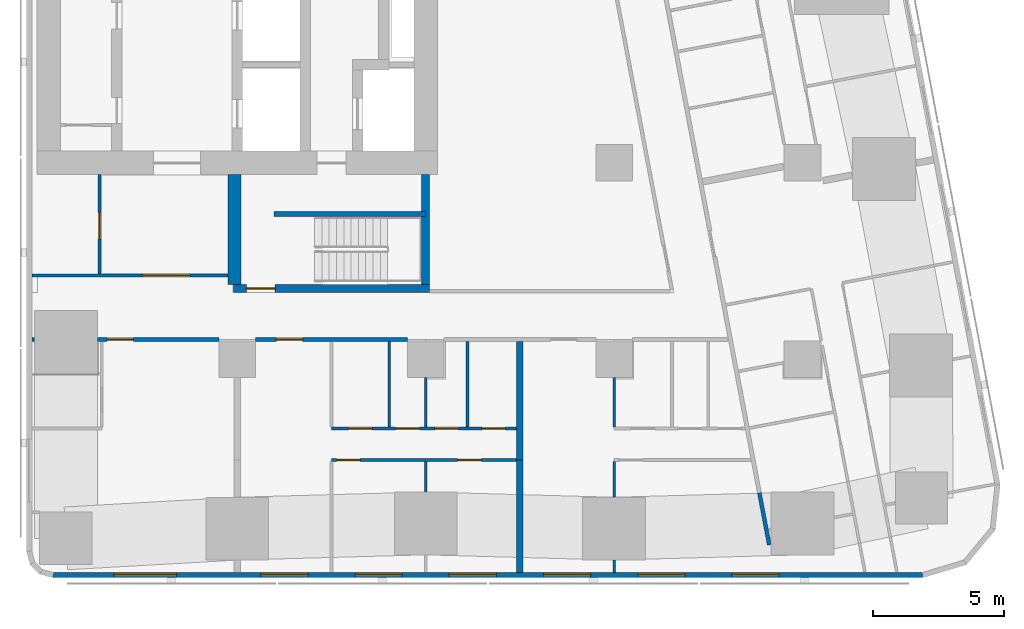
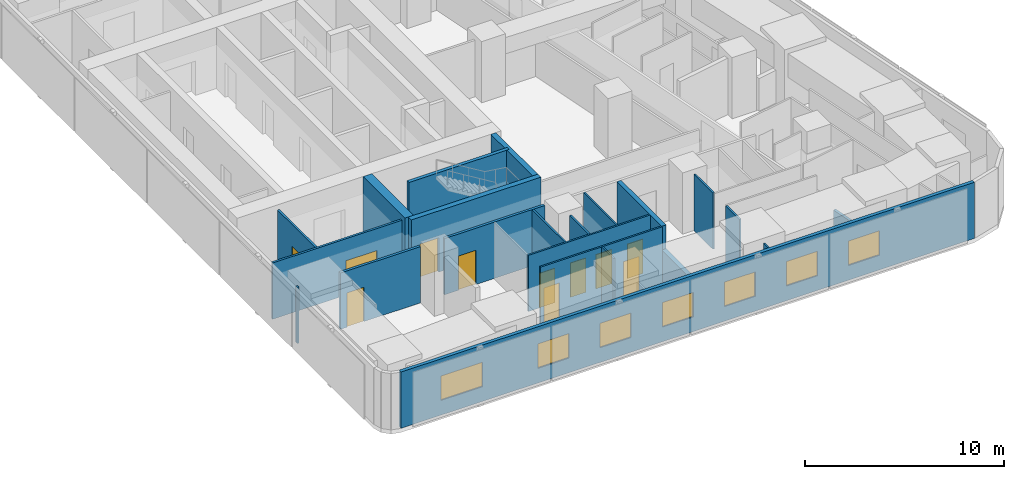
# One storey, part 2 of 10: 22 walls, 11 doors, 7 windows, 18 openings.
"""IFC4 building model written with IfcOpenShell, lengths in metres."""

from ifc_helpers import new_model, si_unit, direction, frame, frame_2d, origin, place, context, subcontext, project, spatial, rectangle, extrude, material, layer, layer_set, type_object, element, fill, save


model = new_model("IFC4")

# Units and contexts
model_context = context("Model", 3, precision=1e-05, world=origin(), true_north=direction((0.0, 1.0)))
body_context = subcontext(model_context, "Body", "Model", "MODEL_VIEW")
ifc_project = project(units=[si_unit("LENGTHUNIT", "METRE"), si_unit("AREAUNIT", "SQUARE_METRE"), si_unit("VOLUMEUNIT", "CUBIC_METRE"), si_unit("PLANEANGLEUNIT", "RADIAN"), si_unit("MASSUNIT", "GRAM", prefix="KILO")], contexts=[model_context])

# Site, building, storey
site_placement = place(None, origin())
site = spatial("IfcSite", under=ifc_project, at=site_placement, CompositionType="ELEMENT")
building_placement = place(site_placement, origin())
building = spatial("IfcBuilding", under=site, at=building_placement, Name="Sheger Commons Tower", CompositionType="ELEMENT")
storey_placement = place(building_placement, frame((0.0, 0.0, 242.449951171875)))
storey = spatial("IfcBuildingStorey", under=building, at=storey_placement, Name="L62", CompositionType="ELEMENT", Elevation=242.449951171875)

# Wall, opening, door
ifc_material_1 = material(Name="Hollow concrete block masonry, skimmed both sides", Category="masonry")
ifc_layer_1 = layer(ifc_material_1, 0.14990234375)
ifc_layer_set_1 = layer_set([ifc_layer_1], Name="CORRIDOR WALL 150")
wall_type_1 = type_object("IfcWallType", Name="CORRIDOR WALL 150", PredefinedType="SOLIDWALL", material=ifc_layer_set_1)
wall_1_placement = place(storey_placement, frame((28.09912109375, 8.25, 0.0), z_axis=(0.0, 0.0, 1.0), x_axis=(-1.0, 0.0, 0.0)))
wall_1 = element("IfcWall", 1, at=wall_1_placement, inside=storey, type_object=wall_type_1, Name="Corridor wall L62", PredefinedType="SOLIDWALL", context=body_context, shape_type="SweptSolid", body=[
    extrude(rectangle(XDim=5.798095703125, YDim=0.14990234375, at=frame_2d((2.89892578125, 0.0))), origin(), (0.0, 0.0, 1.0), 3.449951171875),
])
opening_1_placement = place(wall_1_placement, frame((3.9990234375, 0.0, 0.0)))
opening_1 = element("IfcOpeningElement", 2, at=opening_1_placement, cuts=wall_1, Name="Opening D1", PredefinedType="OPENING", context=body_context, shape_type="SweptSolid", body=[
    extrude(rectangle(XDim=1.0, YDim=2.10009765625, at=frame_2d((0.5, 1.050048828125))), frame((0.0, 0.0849609375, 0.0), z_axis=(0.0, -1.0, 0.0), x_axis=(1.0, 0.0, 0.0)), (0.0, 0.0, 1.0), 0.169921875),
])
ifc_material_2 = material(Name="Steel door set, fire rated", Category="steel")
door_type_1 = type_object("IfcDoorType", Name="FLAT ENTRANCE DOOR 1000x2100", OperationType="NOTDEFINED", PredefinedType="DOOR", material=ifc_material_2)
door_1_placement = place(opening_1_placement, origin())
door_1 = element("IfcDoor", 3, at=door_1_placement, inside=storey, type_object=door_type_1, Name="Flat entrance door", OperationType="SINGLE_SWING_RIGHT", OverallHeight=2.10009765625, OverallWidth=1.0, PredefinedType="DOOR", context=body_context, shape_type="SweptSolid", body=[
    extrude(rectangle(XDim=1.0, YDim=2.10009765625, at=frame_2d((0.5, 1.050048828125))), frame((0.0, 0.02490234375, 0.0), z_axis=(0.0, -1.0, 0.0), x_axis=(1.0, 0.0, 0.0)), (0.0, 0.0, 1.0), 0.050048828125),
])
fill(opening_1, door_1)

wall_2_placement = place(storey_placement, frame((20.89892578125, 8.25, 0.0), z_axis=(0.0, 0.0, 1.0), x_axis=(-1.0, 0.0, 0.0)))
wall_2 = element("IfcWall", 4, at=wall_2_placement, inside=storey, type_object=wall_type_1, Name="Corridor wall L62", PredefinedType="SOLIDWALL", context=body_context, shape_type="SweptSolid", body=[
    extrude(rectangle(XDim=4.64404296875, YDim=0.14990234375, at=frame_2d((2.322021484375, 0.0))), origin(), (0.0, 0.0, 1.0), 3.449951171875),
])
opening_2_placement = place(wall_2_placement, frame((3.27001953125, 0.0, 0.0)))
opening_2 = element("IfcOpeningElement", 5, at=opening_2_placement, cuts=wall_2, Name="Opening D1", PredefinedType="OPENING", context=body_context, shape_type="SweptSolid", body=[
    extrude(rectangle(XDim=1.0, YDim=2.10009765625, at=frame_2d((0.5, 1.050048828125))), frame((0.0, 0.0849609375, 0.0), z_axis=(0.0, -1.0, 0.0), x_axis=(1.0, 0.0, 0.0)), (0.0, 0.0, 1.0), 0.169921875),
])
door_2_placement = place(opening_2_placement, origin())
door_2 = element("IfcDoor", 6, at=door_2_placement, inside=storey, type_object=door_type_1, Name="Flat entrance door", OperationType="SINGLE_SWING_RIGHT", OverallHeight=2.10009765625, OverallWidth=1.0, PredefinedType="DOOR", context=body_context, shape_type="SweptSolid", body=[
    extrude(rectangle(XDim=1.0, YDim=2.10009765625, at=frame_2d((0.5, 1.050048828125))), frame((0.0, 0.02490234375, 0.0), z_axis=(0.0, -1.0, 0.0), x_axis=(1.0, 0.0, 0.0)), (0.0, 0.0, 1.0), 0.050048828125),
])
fill(opening_2, door_2)

# Walls
wall_3_placement = place(storey_placement, frame((13.85302734375, 8.25, 0.0), z_axis=(0.0, 0.0, 1.0), x_axis=(-1.0, 0.0, 0.0)))
element("IfcWall", 7, at=wall_3_placement, inside=storey, type_object=wall_type_1, Name="Corridor wall L62", PredefinedType="SOLIDWALL", context=body_context, shape_type="SweptSolid", body=[
    extrude(rectangle(XDim=0.10302734375, YDim=0.14990234375, at=frame_2d((0.051513671875, 0.0))), origin(), (0.0, 0.0, 1.0), 3.449951171875),
])
wall_4_placement = place(storey_placement, frame((41.552001953125, 2.39208984375, 0.0), z_axis=(0.0, 0.0, 1.0), x_axis=(0.185535500323, -0.982637561932, 0.0)))
element("IfcWall", 8, at=wall_4_placement, inside=storey, type_object=wall_type_1, Name="Corridor wall L62", PredefinedType="SOLIDWALL", context=body_context, shape_type="SweptSolid", body=[
    extrude(rectangle(XDim=2.021240234375, YDim=0.14990234375, at=frame_2d((1.0107421875, 0.0))), origin(), (0.0, 0.0, 1.0), 2.0),
])
ifc_material_3 = material(Name="Dense concrete block masonry, plastered both sides (separating wall between flats)", Category="masonry")
ifc_layer_2 = layer(ifc_material_3, 0.25)
ifc_layer_set_2 = layer_set([ifc_layer_2], Name="DEMISING WALL 250")
wall_type_2 = type_object("IfcWallType", Name="DEMISING WALL 250", PredefinedType="SOLIDWALL", material=ifc_layer_set_2)
wall_5_placement = place(storey_placement, frame((32.39990234375, -0.64990234375, 0.0), z_axis=(0.0, 0.0, 1.0), x_axis=(0.0, 1.0, 0.0)))
element("IfcWall", 9, at=wall_5_placement, inside=storey, type_object=wall_type_2, Name="Demising wall L62", PredefinedType="SOLIDWALL", context=body_context, shape_type="SweptSolid", body=[
    extrude(rectangle(XDim=4.2998046875, YDim=0.25, at=frame_2d((2.14990234375, 0.0))), origin(), (0.0, 0.0, 1.0), 2.0),
])
wall_6_placement = place(storey_placement, frame((32.39990234375, 3.64990234375, 0.0), z_axis=(0.0, 0.0, 1.0), x_axis=(0.0, 1.0, 0.0)))
element("IfcWall", 10, at=wall_6_placement, inside=storey, type_object=wall_type_2, Name="Demising wall L62", PredefinedType="SOLIDWALL", context=body_context, shape_type="SweptSolid", body=[
    extrude(rectangle(XDim=4.525146484375, YDim=0.25, at=frame_2d((2.2626953125, 0.0))), origin(), (0.0, 0.0, 1.0), 3.449951171875),
])

# Wall, openings, windows
ifc_material_4 = material(Name="Rendered concrete block masonry, dark grey", Category="masonry")
ifc_layer_3 = layer(ifc_material_4, 0.199951171875)
ifc_layer_set_3 = layer_set([ifc_layer_3], Name="FACADE WALL 200")
wall_type_3 = type_object("IfcWallType", Name="FACADE WALL 200", PredefinedType="SOLIDWALL", material=ifc_layer_set_3)
wall_7_placement = place(storey_placement, frame((14.56298828125, -0.75, 0.0), z_axis=(0.0, 0.0, 1.0), x_axis=(1.0, 0.0, 0.0)))
wall_7 = element("IfcWall", 11, at=wall_7_placement, inside=storey, type_object=wall_type_3, Name="Facade wall L62", PredefinedType="SOLIDWALL", context=body_context, shape_type="SweptSolid", body=[
    extrude(rectangle(XDim=33.22802734375, YDim=0.199951171875, at=frame_2d((16.614013671875, 0.0))), origin(), (0.0, 0.0, 1.0), 3.449951171875),
])
opening_3_placement = place(wall_7_placement, frame((2.319091796875, 0.0, 0.89990234375)))
opening_3 = element("IfcOpeningElement", 12, at=opening_3_placement, cuts=wall_7, Name="Opening W1", PredefinedType="OPENING", context=body_context, shape_type="SweptSolid", body=[
    extrude(rectangle(XDim=2.39990234375, YDim=1.5, at=frame_2d((1.199951171875, 0.75))), frame((0.0, 0.10986328125, 0.0), z_axis=(0.0, -1.0, 0.0), x_axis=(1.0, 0.0, 0.0)), (0.0, 0.0, 1.0), 0.219970703125),
])
opening_4_placement = place(wall_7_placement, frame((7.93701171875, 0.0, 0.89990234375)))
opening_4 = element("IfcOpeningElement", 13, at=opening_4_placement, cuts=wall_7, Name="Opening W2", PredefinedType="OPENING", context=body_context, shape_type="SweptSolid", body=[
    extrude(rectangle(XDim=1.800048828125, YDim=1.5, at=frame_2d((0.89990234375, 0.75))), frame((0.0, 0.10986328125, 0.0), z_axis=(0.0, -1.0, 0.0), x_axis=(1.0, 0.0, 0.0)), (0.0, 0.0, 1.0), 0.219970703125),
])
opening_5_placement = place(wall_7_placement, frame((11.537109375, 0.0, 0.89990234375)))
opening_5 = element("IfcOpeningElement", 14, at=opening_5_placement, cuts=wall_7, Name="Opening W2", PredefinedType="OPENING", context=body_context, shape_type="SweptSolid", body=[
    extrude(rectangle(XDim=1.800048828125, YDim=1.5, at=frame_2d((0.89990234375, 0.75))), frame((0.0, 0.10986328125, 0.0), z_axis=(0.0, -1.0, 0.0), x_axis=(1.0, 0.0, 0.0)), (0.0, 0.0, 1.0), 0.219970703125),
])
opening_6_placement = place(wall_7_placement, frame((15.136962890625, 0.0, 0.89990234375)))
opening_6 = element("IfcOpeningElement", 15, at=opening_6_placement, cuts=wall_7, Name="Opening W2", PredefinedType="OPENING", context=body_context, shape_type="SweptSolid", body=[
    extrude(rectangle(XDim=1.800048828125, YDim=1.5, at=frame_2d((0.89990234375, 0.75))), frame((0.0, 0.10986328125, 0.0), z_axis=(0.0, -1.0, 0.0), x_axis=(1.0, 0.0, 0.0)), (0.0, 0.0, 1.0), 0.219970703125),
])
opening_7_placement = place(wall_7_placement, frame((18.737060546875, 0.0, 0.89990234375)))
opening_7 = element("IfcOpeningElement", 16, at=opening_7_placement, cuts=wall_7, Name="Opening W2", PredefinedType="OPENING", context=body_context, shape_type="SweptSolid", body=[
    extrude(rectangle(XDim=1.800048828125, YDim=1.5, at=frame_2d((0.89990234375, 0.75))), frame((0.0, 0.10986328125, 0.0), z_axis=(0.0, -1.0, 0.0), x_axis=(1.0, 0.0, 0.0)), (0.0, 0.0, 1.0), 0.219970703125),
])
opening_8_placement = place(wall_7_placement, frame((22.3369140625, 0.0, 0.89990234375)))
opening_8 = element("IfcOpeningElement", 17, at=opening_8_placement, cuts=wall_7, Name="Opening W2", PredefinedType="OPENING", context=body_context, shape_type="SweptSolid", body=[
    extrude(rectangle(XDim=1.800048828125, YDim=1.5, at=frame_2d((0.89990234375, 0.75))), frame((0.0, 0.10986328125, 0.0), z_axis=(0.0, -1.0, 0.0), x_axis=(1.0, 0.0, 0.0)), (0.0, 0.0, 1.0), 0.219970703125),
])
opening_9_placement = place(wall_7_placement, frame((25.93701171875, 0.0, 0.89990234375)))
opening_9 = element("IfcOpeningElement", 18, at=opening_9_placement, cuts=wall_7, Name="Opening W2", PredefinedType="OPENING", context=body_context, shape_type="SweptSolid", body=[
    extrude(rectangle(XDim=1.800048828125, YDim=1.5, at=frame_2d((0.89990234375, 0.75))), frame((0.0, 0.10986328125, 0.0), z_axis=(0.0, -1.0, 0.0), x_axis=(1.0, 0.0, 0.0)), (0.0, 0.0, 1.0), 0.219970703125),
])
ifc_material_5 = material(Name="Black aluminium frame, dark tinted double glazing", Category="aluminium")
window_type_1 = type_object("IfcWindowType", Name="WINDOW W1 2400x1500", PartitioningType="SINGLE_PANEL", PredefinedType="WINDOW", material=ifc_material_5)
window_1_placement = place(opening_3_placement, origin())
window_1 = element("IfcWindow", 19, at=window_1_placement, inside=storey, type_object=window_type_1, Name="Window W1 2400X1500", OverallHeight=1.5, OverallWidth=2.39990234375, PartitioningType="SINGLE_PANEL", PredefinedType="WINDOW", context=body_context, shape_type="SweptSolid", body=[
    extrude(rectangle(XDim=2.39990234375, YDim=1.5, at=frame_2d((1.199951171875, 0.75))), frame((0.0, 0.030029296875, 0.0), z_axis=(0.0, -1.0, 0.0), x_axis=(1.0, 0.0, 0.0)), (0.0, 0.0, 1.0), 0.06005859375),
])
fill(opening_3, window_1)
ifc_material_6 = material(Name="Black aluminium frame, dark tinted double glazing", Category="aluminium")
window_type_2 = type_object("IfcWindowType", Name="WINDOW W2 1800x1500", PartitioningType="SINGLE_PANEL", PredefinedType="WINDOW", material=ifc_material_6)
window_2_placement = place(opening_4_placement, origin())
window_2 = element("IfcWindow", 20, at=window_2_placement, inside=storey, type_object=window_type_2, Name="Window W2 1800X1500", OverallHeight=1.5, OverallWidth=1.800048828125, PartitioningType="SINGLE_PANEL", PredefinedType="WINDOW", context=body_context, shape_type="SweptSolid", body=[
    extrude(rectangle(XDim=1.800048828125, YDim=1.5, at=frame_2d((0.89990234375, 0.75))), frame((0.0, 0.030029296875, 0.0), z_axis=(0.0, -1.0, 0.0), x_axis=(1.0, 0.0, 0.0)), (0.0, 0.0, 1.0), 0.06005859375),
])
fill(opening_4, window_2)
window_3_placement = place(opening_5_placement, origin())
window_3 = element("IfcWindow", 21, at=window_3_placement, inside=storey, type_object=window_type_2, Name="Window W2 1800X1500", OverallHeight=1.5, OverallWidth=1.800048828125, PartitioningType="SINGLE_PANEL", PredefinedType="WINDOW", context=body_context, shape_type="SweptSolid", body=[
    extrude(rectangle(XDim=1.800048828125, YDim=1.5, at=frame_2d((0.89990234375, 0.75))), frame((0.0, 0.030029296875, 0.0), z_axis=(0.0, -1.0, 0.0), x_axis=(1.0, 0.0, 0.0)), (0.0, 0.0, 1.0), 0.06005859375),
])
fill(opening_5, window_3)
window_4_placement = place(opening_6_placement, origin())
window_4 = element("IfcWindow", 22, at=window_4_placement, inside=storey, type_object=window_type_2, Name="Window W2 1800X1500", OverallHeight=1.5, OverallWidth=1.800048828125, PartitioningType="SINGLE_PANEL", PredefinedType="WINDOW", context=body_context, shape_type="SweptSolid", body=[
    extrude(rectangle(XDim=1.800048828125, YDim=1.5, at=frame_2d((0.89990234375, 0.75))), frame((0.0, 0.030029296875, 0.0), z_axis=(0.0, -1.0, 0.0), x_axis=(1.0, 0.0, 0.0)), (0.0, 0.0, 1.0), 0.06005859375),
])
fill(opening_6, window_4)
window_5_placement = place(opening_7_placement, origin())
window_5 = element("IfcWindow", 23, at=window_5_placement, inside=storey, type_object=window_type_2, Name="Window W2 1800X1500", OverallHeight=1.5, OverallWidth=1.800048828125, PartitioningType="SINGLE_PANEL", PredefinedType="WINDOW", context=body_context, shape_type="SweptSolid", body=[
    extrude(rectangle(XDim=1.800048828125, YDim=1.5, at=frame_2d((0.89990234375, 0.75))), frame((0.0, 0.030029296875, 0.0), z_axis=(0.0, -1.0, 0.0), x_axis=(1.0, 0.0, 0.0)), (0.0, 0.0, 1.0), 0.06005859375),
])
fill(opening_7, window_5)
window_6_placement = place(opening_8_placement, origin())
window_6 = element("IfcWindow", 24, at=window_6_placement, inside=storey, type_object=window_type_2, Name="Window W2 1800X1500", OverallHeight=1.5, OverallWidth=1.800048828125, PartitioningType="SINGLE_PANEL", PredefinedType="WINDOW", context=body_context, shape_type="SweptSolid", body=[
    extrude(rectangle(XDim=1.800048828125, YDim=1.5, at=frame_2d((0.89990234375, 0.75))), frame((0.0, 0.030029296875, 0.0), z_axis=(0.0, -1.0, 0.0), x_axis=(1.0, 0.0, 0.0)), (0.0, 0.0, 1.0), 0.06005859375),
])
fill(opening_8, window_6)
window_7_placement = place(opening_9_placement, origin())
window_7 = element("IfcWindow", 25, at=window_7_placement, inside=storey, type_object=window_type_2, Name="Window W2 1800X1500", OverallHeight=1.5, OverallWidth=1.800048828125, PartitioningType="SINGLE_PANEL", PredefinedType="WINDOW", context=body_context, shape_type="SweptSolid", body=[
    extrude(rectangle(XDim=1.800048828125, YDim=1.5, at=frame_2d((0.89990234375, 0.75))), frame((0.0, 0.030029296875, 0.0), z_axis=(0.0, -1.0, 0.0), x_axis=(1.0, 0.0, 0.0)), (0.0, 0.0, 1.0), 0.06005859375),
])
fill(opening_9, window_7)

# Wall, openings, doors
ifc_material_7 = material(Name="Gypsum board on steel studs", Category="steel")
ifc_layer_4 = layer(ifc_material_7, 0.10009765625)
ifc_layer_set_4 = layer_set([ifc_layer_4], Name="PARTITION 100")
wall_type_4 = type_object("IfcWallType", Name="PARTITION 100", PredefinedType="PARTITIONING", material=ifc_layer_set_4)
wall_8_placement = place(storey_placement, frame((32.27490234375, 3.64990234375, 0.0), z_axis=(0.0, 0.0, 1.0), x_axis=(-1.0, 0.0, 0.0)))
wall_8 = element("IfcWall", 26, at=wall_8_placement, inside=storey, type_object=wall_type_4, Name="Partition L62", PredefinedType="PARTITIONING", context=body_context, shape_type="SweptSolid", body=[
    extrude(rectangle(XDim=7.074951171875, YDim=0.10009765625, at=frame_2d((3.53759765625, 0.0))), origin(), (0.0, 0.0, 1.0), 3.449951171875),
])
opening_10_placement = place(wall_8_placement, frame((5.97509765625, 0.0, 0.0)))
opening_10 = element("IfcOpeningElement", 27, at=opening_10_placement, cuts=wall_8, Name="Opening D2", PredefinedType="OPENING", context=body_context, shape_type="SweptSolid", body=[
    extrude(rectangle(XDim=0.89990234375, YDim=2.10009765625, at=frame_2d((0.449951171875, 1.050048828125))), frame((0.0, 0.06005859375, 0.0), z_axis=(0.0, -1.0, 0.0), x_axis=(1.0, 0.0, 0.0)), (0.0, 0.0, 1.0), 0.1201171875),
])
opening_11_placement = place(wall_8_placement, frame((1.35009765625, 0.0, 0.0)))
opening_11 = element("IfcOpeningElement", 28, at=opening_11_placement, cuts=wall_8, Name="Opening D2", PredefinedType="OPENING", context=body_context, shape_type="SweptSolid", body=[
    extrude(rectangle(XDim=0.89990234375, YDim=2.10009765625, at=frame_2d((0.449951171875, 1.050048828125))), frame((0.0, 0.06005859375, 0.0), z_axis=(0.0, -1.0, 0.0), x_axis=(1.0, 0.0, 0.0)), (0.0, 0.0, 1.0), 0.1201171875),
])
ifc_material_8 = material(Name="Timber door set", Category="wood")
door_type_2 = type_object("IfcDoorType", Name="INTERNAL DOOR 900x2100", OperationType="NOTDEFINED", PredefinedType="DOOR", material=ifc_material_8)
door_3_placement = place(opening_10_placement, origin())
door_3 = element("IfcDoor", 29, at=door_3_placement, inside=storey, type_object=door_type_2, Name="Main bedroom door", OperationType="SINGLE_SWING_RIGHT", OverallHeight=2.10009765625, OverallWidth=0.89990234375, PredefinedType="DOOR", context=body_context, shape_type="SweptSolid", body=[
    extrude(rectangle(XDim=0.89990234375, YDim=2.10009765625, at=frame_2d((0.449951171875, 1.050048828125))), frame((0.0, 0.02490234375, 0.0), z_axis=(0.0, -1.0, 0.0), x_axis=(1.0, 0.0, 0.0)), (0.0, 0.0, 1.0), 0.050048828125),
])
fill(opening_10, door_3)
door_4_placement = place(opening_11_placement, origin())
door_4 = element("IfcDoor", 30, at=door_4_placement, inside=storey, type_object=door_type_2, Name="Bedroom 2 door", OperationType="SINGLE_SWING_LEFT", OverallHeight=2.10009765625, OverallWidth=0.89990234375, PredefinedType="DOOR", context=body_context, shape_type="SweptSolid", body=[
    extrude(rectangle(XDim=0.89990234375, YDim=2.10009765625, at=frame_2d((0.449951171875, 1.050048828125))), frame((0.0, 0.02490234375, 0.0), z_axis=(0.0, -1.0, 0.0), x_axis=(1.0, 0.0, 0.0)), (0.0, 0.0, 1.0), 0.050048828125),
])
fill(opening_11, door_4)

wall_9_placement = place(storey_placement, frame((32.27490234375, 4.85009765625, 0.0), z_axis=(0.0, 0.0, 1.0), x_axis=(-1.0, 0.0, 0.0)))
wall_9 = element("IfcWall", 31, at=wall_9_placement, inside=storey, type_object=wall_type_4, Name="Partition L62", PredefinedType="PARTITIONING", context=body_context, shape_type="SweptSolid", body=[
    extrude(rectangle(XDim=7.074951171875, YDim=0.10009765625, at=frame_2d((3.53759765625, 0.0))), origin(), (0.0, 0.0, 1.0), 3.449951171875),
])
opening_12_placement = place(wall_9_placement, frame((5.52001953125, 0.0, 0.0)))
opening_12 = element("IfcOpeningElement", 32, at=opening_12_placement, cuts=wall_9, Name="Opening D2", PredefinedType="OPENING", context=body_context, shape_type="SweptSolid", body=[
    extrude(rectangle(XDim=0.89990234375, YDim=2.10009765625, at=frame_2d((0.449951171875, 1.050048828125))), frame((0.0, 0.06005859375, 0.0), z_axis=(0.0, -1.0, 0.0), x_axis=(1.0, 0.0, 0.0)), (0.0, 0.0, 1.0), 0.1201171875),
])
opening_13_placement = place(wall_9_placement, frame((2.22509765625, 0.0, 0.0)))
opening_13 = element("IfcOpeningElement", 33, at=opening_13_placement, cuts=wall_9, Name="Opening D2", PredefinedType="OPENING", context=body_context, shape_type="SweptSolid", body=[
    extrude(rectangle(XDim=0.89990234375, YDim=2.10009765625, at=frame_2d((0.449951171875, 1.050048828125))), frame((0.0, 0.06005859375, 0.0), z_axis=(0.0, -1.0, 0.0), x_axis=(1.0, 0.0, 0.0)), (0.0, 0.0, 1.0), 0.1201171875),
])
opening_14_placement = place(wall_9_placement, frame((3.719970703125, 0.0, 0.0)))
opening_14 = element("IfcOpeningElement", 34, at=opening_14_placement, cuts=wall_9, Name="Opening D2", PredefinedType="OPENING", context=body_context, shape_type="SweptSolid", body=[
    extrude(rectangle(XDim=0.89990234375, YDim=2.10009765625, at=frame_2d((0.449951171875, 1.050048828125))), frame((0.0, 0.06005859375, 0.0), z_axis=(0.0, -1.0, 0.0), x_axis=(1.0, 0.0, 0.0)), (0.0, 0.0, 1.0), 0.1201171875),
])
opening_15_placement = place(wall_9_placement, frame((0.425048828125, 0.0, 0.0)))
opening_15 = element("IfcOpeningElement", 35, at=opening_15_placement, cuts=wall_9, Name="Opening D2", PredefinedType="OPENING", context=body_context, shape_type="SweptSolid", body=[
    extrude(rectangle(XDim=0.89990234375, YDim=2.10009765625, at=frame_2d((0.449951171875, 1.050048828125))), frame((0.0, 0.06005859375, 0.0), z_axis=(0.0, -1.0, 0.0), x_axis=(1.0, 0.0, 0.0)), (0.0, 0.0, 1.0), 0.1201171875),
])
door_5_placement = place(opening_12_placement, origin())
door_5 = element("IfcDoor", 36, at=door_5_placement, inside=storey, type_object=door_type_2, Name="Bathroom door", OperationType="SINGLE_SWING_LEFT", OverallHeight=2.10009765625, OverallWidth=0.89990234375, PredefinedType="DOOR", context=body_context, shape_type="SweptSolid", body=[
    extrude(rectangle(XDim=0.89990234375, YDim=2.10009765625, at=frame_2d((0.449951171875, 1.050048828125))), frame((0.0, 0.02490234375, 0.0), z_axis=(0.0, -1.0, 0.0), x_axis=(1.0, 0.0, 0.0)), (0.0, 0.0, 1.0), 0.050048828125),
])
fill(opening_12, door_5)
door_6_placement = place(opening_13_placement, origin())
door_6 = element("IfcDoor", 37, at=door_6_placement, inside=storey, type_object=door_type_2, Name="Shower room door", OperationType="SINGLE_SWING_LEFT", OverallHeight=2.10009765625, OverallWidth=0.89990234375, PredefinedType="DOOR", context=body_context, shape_type="SweptSolid", body=[
    extrude(rectangle(XDim=0.89990234375, YDim=2.10009765625, at=frame_2d((0.449951171875, 1.050048828125))), frame((0.0, 0.02490234375, 0.0), z_axis=(0.0, -1.0, 0.0), x_axis=(1.0, 0.0, 0.0)), (0.0, 0.0, 1.0), 0.050048828125),
])
fill(opening_13, door_6)
door_7_placement = place(opening_14_placement, origin())
door_7 = element("IfcDoor", 38, at=door_7_placement, inside=storey, type_object=door_type_2, Name="Store door", OperationType="SINGLE_SWING_LEFT", OverallHeight=2.10009765625, OverallWidth=0.89990234375, PredefinedType="DOOR", context=body_context, shape_type="SweptSolid", body=[
    extrude(rectangle(XDim=0.89990234375, YDim=2.10009765625, at=frame_2d((0.449951171875, 1.050048828125))), frame((0.0, 0.02490234375, 0.0), z_axis=(0.0, -1.0, 0.0), x_axis=(1.0, 0.0, 0.0)), (0.0, 0.0, 1.0), 0.050048828125),
])
fill(opening_14, door_7)
door_8_placement = place(opening_15_placement, origin())
door_8 = element("IfcDoor", 39, at=door_8_placement, inside=storey, type_object=door_type_2, Name="Store door", OperationType="SINGLE_SWING_RIGHT", OverallHeight=2.10009765625, OverallWidth=0.89990234375, PredefinedType="DOOR", context=body_context, shape_type="SweptSolid", body=[
    extrude(rectangle(XDim=0.89990234375, YDim=2.10009765625, at=frame_2d((0.449951171875, 1.050048828125))), frame((0.0, 0.02490234375, 0.0), z_axis=(0.0, -1.0, 0.0), x_axis=(1.0, 0.0, 0.0)), (0.0, 0.0, 1.0), 0.050048828125),
])
fill(opening_15, door_8)

# Walls
wall_10_placement = place(storey_placement, frame((28.800048828125, 2.426025390625, 0.0), z_axis=(0.0, 0.0, 1.0), x_axis=(0.0, 1.0, 0.0)))
element("IfcWall", 40, at=wall_10_placement, inside=storey, type_object=wall_type_4, Name="Partition L62", PredefinedType="PARTITIONING", context=body_context, shape_type="SweptSolid", body=[
    extrude(rectangle(XDim=1.174072265625, YDim=0.10009765625, at=frame_2d((0.5869140625, 0.0))), origin(), (0.0, 0.0, 1.0), 3.449951171875),
])
wall_11_placement = place(storey_placement, frame((28.800048828125, 4.89990234375, 0.0), z_axis=(0.0, 0.0, 1.0), x_axis=(0.0, 1.0, 0.0)))
element("IfcWall", 41, at=wall_11_placement, inside=storey, type_object=wall_type_4, Name="Partition L62", PredefinedType="PARTITIONING", context=body_context, shape_type="SweptSolid", body=[
    extrude(rectangle(XDim=1.899169921875, YDim=0.10009765625, at=frame_2d((0.94970703125, 0.0))), origin(), (0.0, 0.0, 1.0), 3.449951171875),
])
for number, where, z_axis, x_axis, name in (
    (42, (27.409912109375, 4.89990234375, 0.0), (0.0, 0.0, 1.0), (0.0, 1.0, 0.0), "Partition L62"),
    (43, (30.39990234375, 4.89990234375, 0.0), (0.0, 0.0, 1.0), (0.0, 1.0, 0.0), "Partition L62"),
):
    element("IfcWall", number, at=place(storey_placement, frame(where, z_axis=z_axis, x_axis=x_axis)), inside=storey, type_object=wall_type_4, Name=name, PredefinedType="PARTITIONING", context=body_context, shape_type="SweptSolid", body=[
        extrude(rectangle(XDim=3.275146484375, YDim=0.10009765625, at=frame_2d((1.6376953125, 0.0))), origin(), (0.0, 0.0, 1.0), 3.449951171875),
    ])
wall_12_placement = place(storey_placement, frame((36.0, -0.64990234375, 0.0), z_axis=(0.0, 0.0, 1.0), x_axis=(0.0, 1.0, 0.0)))
element("IfcWall", 44, at=wall_12_placement, inside=storey, type_object=wall_type_4, Name="Partition L62", PredefinedType="PARTITIONING", context=body_context, shape_type="SweptSolid", body=[
    extrude(rectangle(XDim=0.473876953125, YDim=0.10009765625, at=frame_2d((0.23681640625, 0.0))), origin(), (0.0, 0.0, 1.0), 3.449951171875),
])
wall_13_placement = place(storey_placement, frame((36.0, 2.22607421875, 0.0), z_axis=(0.0, 0.0, 1.0), x_axis=(0.0, 1.0, 0.0)))
element("IfcWall", 45, at=wall_13_placement, inside=storey, type_object=wall_type_4, Name="Partition L62", PredefinedType="PARTITIONING", context=body_context, shape_type="SweptSolid", body=[
    extrude(rectangle(XDim=1.3740234375, YDim=0.10009765625, at=frame_2d((0.68701171875, 0.0))), origin(), (0.0, 0.0, 1.0), 3.449951171875),
])
wall_14_placement = place(storey_placement, frame((36.0, 4.89990234375, 0.0), z_axis=(0.0, 0.0, 1.0), x_axis=(0.0, 1.0, 0.0)))
element("IfcWall", 46, at=wall_14_placement, inside=storey, type_object=wall_type_4, Name="Partition L62", PredefinedType="PARTITIONING", context=body_context, shape_type="SweptSolid", body=[
    extrude(rectangle(XDim=1.899169921875, YDim=0.10009765625, at=frame_2d((0.94970703125, 0.0))), origin(), (0.0, 0.0, 1.0), 3.449951171875),
])

# Wall, opening, door
ifc_material_9 = material(Name="Gypsum board on steel studs, two layers each side, fire rated", Category="steel")
ifc_layer_5 = layer(ifc_material_9, 0.125)
ifc_layer_set_5 = layer_set([ifc_layer_5], Name="SERVICE WALL 125")
wall_type_5 = type_object("IfcWallType", Name="SERVICE WALL 125", PredefinedType="PARTITIONING", material=ifc_layer_set_5)
wall_15_placement = place(storey_placement, frame((13.75, 10.699951171875, 0.0), z_axis=(0.0, 0.0, 1.0), x_axis=(1.0, 0.0, 0.0)))
wall_15 = element("IfcWall", 47, at=wall_15_placement, inside=storey, type_object=wall_type_5, Name="Service room wall L62", PredefinedType="PARTITIONING", context=body_context, shape_type="SweptSolid", body=[
    extrude(rectangle(XDim=7.5, YDim=0.125, at=frame_2d((3.75, 0.0))), origin(), (0.0, 0.0, 1.0), 3.449951171875),
])
opening_16_placement = place(wall_15_placement, frame((4.2451171875, 0.0, 0.0)))
opening_16 = element("IfcOpeningElement", 48, at=opening_16_placement, cuts=wall_15, Name="Opening D6", PredefinedType="OPENING", context=body_context, shape_type="SweptSolid", body=[
    extrude(rectangle(XDim=1.800048828125, YDim=2.10009765625, at=frame_2d((0.89990234375, 1.050048828125))), frame((0.0, 0.072509765625, 0.0), z_axis=(0.0, -1.0, 0.0), x_axis=(1.0, 0.0, 0.0)), (0.0, 0.0, 1.0), 0.14501953125),
])
ifc_material_10 = material(Name="Steel door set, fire rated", Category="steel")
door_type_3 = type_object("IfcDoorType", Name="LOBBY DOUBLE DOOR 1800x2100", OperationType="DOUBLE_DOOR_SINGLE_SWING", PredefinedType="DOOR", material=ifc_material_10)
door_9_placement = place(opening_16_placement, origin())
door_9 = element("IfcDoor", 49, at=door_9_placement, inside=storey, type_object=door_type_3, Name="Lift lobby south door", OperationType="DOUBLE_DOOR_SINGLE_SWING", OverallHeight=2.10009765625, OverallWidth=1.800048828125, PredefinedType="DOOR", context=body_context, shape_type="SweptSolid", body=[
    extrude(rectangle(XDim=1.800048828125, YDim=2.10009765625, at=frame_2d((0.89990234375, 1.050048828125))), frame((0.0, 0.02490234375, 0.0), z_axis=(0.0, -1.0, 0.0), x_axis=(1.0, 0.0, 0.0)), (0.0, 0.0, 1.0), 0.050048828125),
])
fill(opening_16, door_9)

wall_16_placement = place(storey_placement, frame((16.340087890625, 10.761962890625, 0.0), z_axis=(0.0, 0.0, 1.0), x_axis=(0.0, 1.0, 0.0)))
wall_16 = element("IfcWall", 50, at=wall_16_placement, inside=storey, type_object=wall_type_5, Name="Service room wall L62", PredefinedType="PARTITIONING", context=body_context, shape_type="SweptSolid", body=[
    extrude(rectangle(XDim=3.7880859375, YDim=0.125, at=frame_2d((1.89404296875, 0.0))), origin(), (0.0, 0.0, 1.0), 3.449951171875),
])
opening_17_placement = place(wall_16_placement, frame((1.337890625, 0.0, 0.0)))
opening_17 = element("IfcOpeningElement", 51, at=opening_17_placement, cuts=wall_16, Name="Opening D4", PredefinedType="OPENING", context=body_context, shape_type="SweptSolid", body=[
    extrude(rectangle(XDim=1.0, YDim=2.10009765625, at=frame_2d((0.5, 1.050048828125))), frame((0.0, 0.072509765625, 0.0), z_axis=(0.0, -1.0, 0.0), x_axis=(1.0, 0.0, 0.0)), (0.0, 0.0, 1.0), 0.14501953125),
])
ifc_material_11 = material(Name="Steel door set, fire rated", Category="steel")
door_type_4 = type_object("IfcDoorType", Name="SERVICE DOOR 1000x2100", OperationType="NOTDEFINED", PredefinedType="DOOR", material=ifc_material_11)
door_10_placement = place(opening_17_placement, origin())
door_10 = element("IfcDoor", 52, at=door_10_placement, inside=storey, type_object=door_type_4, Name="Electrical room door", OperationType="SINGLE_SWING_LEFT", OverallHeight=2.10009765625, OverallWidth=1.0, PredefinedType="DOOR", context=body_context, shape_type="SweptSolid", body=[
    extrude(rectangle(XDim=1.0, YDim=2.10009765625, at=frame_2d((0.5, 1.050048828125))), frame((0.0, 0.02490234375, 0.0), z_axis=(0.0, -1.0, 0.0), x_axis=(1.0, 0.0, 0.0)), (0.0, 0.0, 1.0), 0.050048828125),
])
fill(opening_17, door_10)

ifc_material_12 = material(Name="Concrete C50/60", Category="concrete")
ifc_layer_6 = layer(ifc_material_12, 0.300048828125)
ifc_layer_set_6 = layer_set([ifc_layer_6], Name="STAIR CORE WALL 300")
wall_type_6 = type_object("IfcWallType", Name="STAIR CORE WALL 300", PredefinedType="SHEAR", material=ifc_layer_set_6)
wall_17_placement = place(storey_placement, frame((21.449951171875, 10.199951171875, 0.0), z_axis=(0.0, 0.0, 1.0), x_axis=(1.0, 0.0, 0.0)))
wall_17 = element("IfcWall", 53, at=wall_17_placement, inside=storey, type_object=wall_type_6, Name="STW-L62-S1S", PredefinedType="SHEAR", context=body_context, shape_type="SweptSolid", body=[
    extrude(rectangle(XDim=7.5, YDim=0.300048828125, at=frame_2d((3.75, 0.0))), origin(), (0.0, 0.0, 1.0), 3.75),
])
opening_18_placement = place(wall_17_placement, frame((0.5, 0.0, 0.0)))
opening_18 = element("IfcOpeningElement", 54, at=opening_18_placement, cuts=wall_17, Name="Opening D5", PredefinedType="OPENING", context=body_context, shape_type="SweptSolid", body=[
    extrude(rectangle(XDim=1.10009765625, YDim=2.10009765625, at=frame_2d((0.550048828125, 1.050048828125))), frame((0.0, 0.159912109375, 0.0), z_axis=(0.0, -1.0, 0.0), x_axis=(1.0, 0.0, 0.0)), (0.0, 0.0, 1.0), 0.320068359375),
])
ifc_material_13 = material(Name="Steel door set, fire rated", Category="steel")
door_type_5 = type_object("IfcDoorType", Name="STAIR DOOR 1100x2100", OperationType="NOTDEFINED", PredefinedType="DOOR", material=ifc_material_13)
door_11_placement = place(opening_18_placement, origin())
door_11 = element("IfcDoor", 55, at=door_11_placement, inside=storey, type_object=door_type_5, Name="Stair S1 door", OperationType="SINGLE_SWING_LEFT", OverallHeight=2.10009765625, OverallWidth=1.10009765625, PredefinedType="DOOR", context=body_context, shape_type="SweptSolid", body=[
    extrude(rectangle(XDim=1.10009765625, YDim=2.10009765625, at=frame_2d((0.550048828125, 1.050048828125))), frame((0.0, 0.02490234375, 0.0), z_axis=(0.0, -1.0, 0.0), x_axis=(1.0, 0.0, 0.0)), (0.0, 0.0, 1.0), 0.050048828125),
])
fill(opening_18, door_11)

# Walls
wall_18_placement = place(storey_placement, frame((28.800048828125, 10.35009765625, 0.0), z_axis=(0.0, 0.0, 1.0), x_axis=(0.0, 1.0, 0.0)))
element("IfcWall", 56, at=wall_18_placement, inside=storey, type_object=wall_type_6, Name="STW-L62-S1E", PredefinedType="SHEAR", context=body_context, shape_type="SweptSolid", body=[
    extrude(rectangle(XDim=4.199951171875, YDim=0.300048828125, at=frame_2d((2.10009765625, 0.0))), origin(), (0.0, 0.0, 1.0), 3.75),
])
ifc_material_14 = material(Name="Concrete C50/60", Category="concrete")
ifc_layer_7 = layer(ifc_material_14, 0.5)
ifc_layer_set_7 = layer_set([ifc_layer_7], Name="STAIR CORE WALL 500")
wall_type_7 = type_object("IfcWallType", Name="STAIR CORE WALL 500", PredefinedType="SHEAR", material=ifc_layer_set_7)
wall_19_placement = place(storey_placement, frame((21.5, 10.35009765625, 0.0), z_axis=(0.0, 0.0, 1.0), x_axis=(0.0, 1.0, 0.0)))
element("IfcWall", 57, at=wall_19_placement, inside=storey, type_object=wall_type_7, Name="STW-L62-S1W", PredefinedType="SHEAR", context=body_context, shape_type="SweptSolid", body=[
    extrude(rectangle(XDim=4.199951171875, YDim=0.5, at=frame_2d((2.10009765625, 0.0))), origin(), (0.0, 0.0, 1.0), 3.75),
])
ifc_material_15 = material(Name="Concrete C50/60", Category="concrete")
ifc_layer_8 = layer(ifc_material_15, 0.199951171875)
ifc_layer_set_8 = layer_set([ifc_layer_8], Name="STAIR SPINE WALL 200")
wall_type_8 = type_object("IfcWallType", Name="STAIR SPINE WALL 200", PredefinedType="SHEAR", material=ifc_layer_set_8)
wall_20_placement = place(storey_placement, frame((23.0, 13.050048828125, 0.0), z_axis=(0.0, 0.0, 1.0), x_axis=(1.0, 0.0, 0.0)))
element("IfcWall", 58, at=wall_20_placement, inside=storey, type_object=wall_type_8, Name="Stair spine wall L62", PredefinedType="SHEAR", context=body_context, shape_type="SweptSolid", body=[
    extrude(rectangle(XDim=5.800048828125, YDim=0.199951171875, at=frame_2d((2.89990234375, 0.0))), origin(), (0.0, 0.0, 1.0), 3.75),
])

save(model, "model.ifc")
